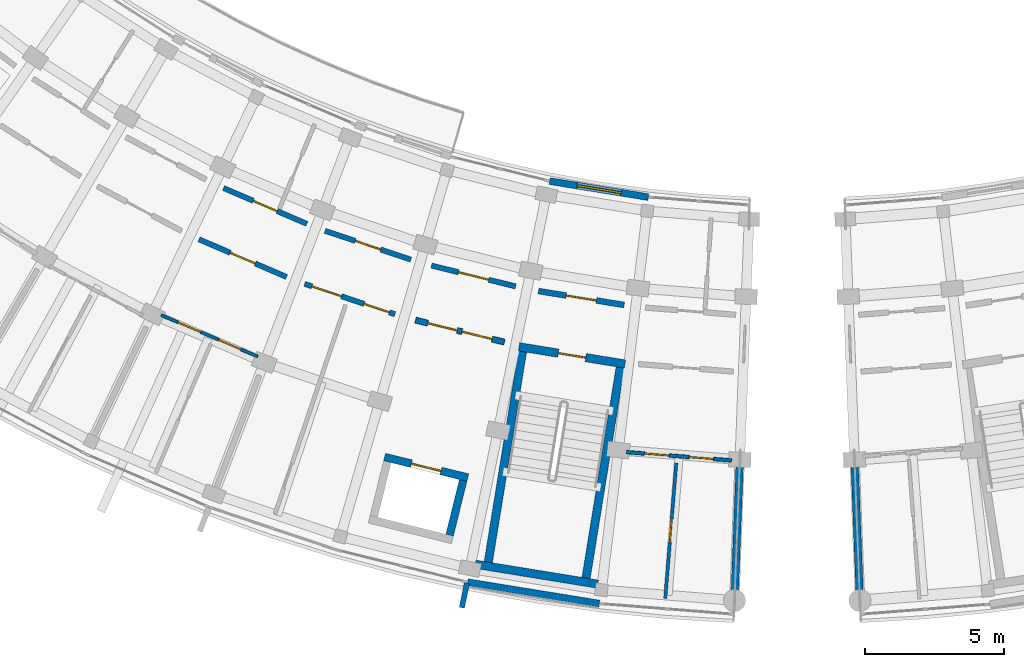
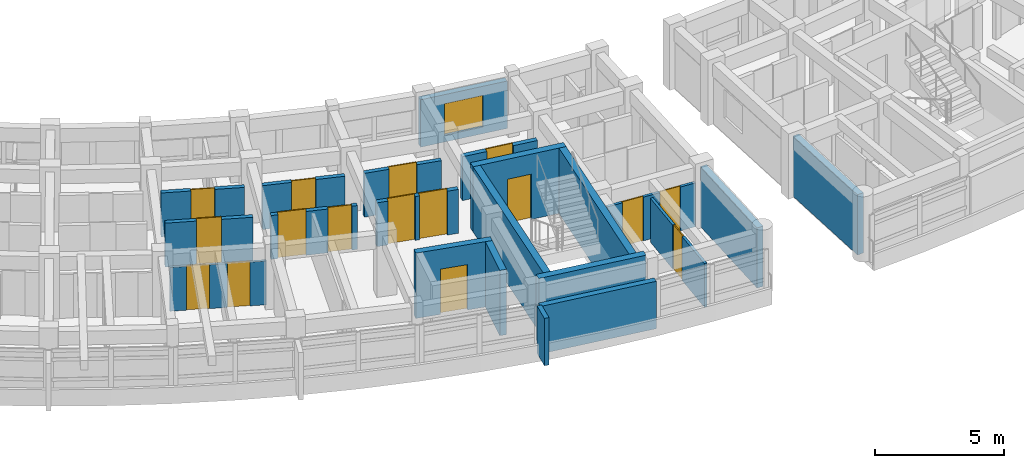
# One storey, part 34 of 56: 21 walls, 16 doors, 1 window, 17 openings.
"""IFC4 building model written with IfcOpenShell, lengths in metres."""

from ifc_helpers import new_model, si_unit, direction, frame, frame_2d, origin, place, context, subcontext, project, spatial, rectangle, extrude, material, layer, layer_set, type_object, element, fill, save


model = new_model("IFC4")

# Units and contexts
model_context = context("Model", 3, precision=1e-05, world=origin(), true_north=direction((0.0, 1.0)))
body_context = subcontext(model_context, "Body", "Model", "MODEL_VIEW")
ifc_project = project(units=[si_unit("LENGTHUNIT", "METRE"), si_unit("AREAUNIT", "SQUARE_METRE"), si_unit("VOLUMEUNIT", "CUBIC_METRE"), si_unit("PLANEANGLEUNIT", "RADIAN"), si_unit("MASSUNIT", "GRAM", prefix="KILO")], contexts=[model_context])

# Site, building, storey
site_placement = place(None, origin())
site = spatial("IfcSite", under=ifc_project, at=site_placement, CompositionType="ELEMENT")
building_placement = place(site_placement, origin())
building = spatial("IfcBuilding", under=site, at=building_placement, Name="Zimvara Arc Housing Community", CompositionType="ELEMENT")
storey_placement = place(building_placement, frame((0.0, 0.0, 17.39990234375)))
storey = spatial("IfcBuildingStorey", under=building, at=storey_placement, Name="L05", CompositionType="ELEMENT", Elevation=17.39990234375)

# Wall
ifc_material_1 = material(Name="Board-Marked Fair-Faced Concrete C35/45", Category="concrete")
ifc_layer_1 = layer(ifc_material_1, 0.195068359375)
ifc_layer_set_1 = layer_set([ifc_layer_1], Name="Board-Marked Fair-Faced Concrete C35/45")
wall_type_1 = type_object("IfcWallType", Name="EWL-PARA-195", PredefinedType="PARAPET", material=ifc_layer_set_1)
wall_1_placement = place(storey_placement, frame((114.072509765625, 51.645263671875, 0.0), z_axis=(0.0, 0.0, 1.0), x_axis=(-0.200236425943, -0.979747607155, 0.0)))
element("IfcWall", 1, at=wall_1_placement, inside=storey, type_object=wall_type_1, Name="finwall:blkC:L05:out:b8", PredefinedType="PARAPET", context=body_context, shape_type="SweptSolid", body=[
    extrude(rectangle(XDim=0.89990234375, YDim=0.195068359375, at=frame_2d((0.449951171875, 0.0))), origin(), (0.0, 0.0, 1.0), 2.25),
])

# Wall, opening, window
ifc_material_2 = material(Name="Pigmented Fair-Faced Concrete C35/45", Category="concrete")
ifc_layer_2 = layer(ifc_material_2, 0.2451171875)
ifc_layer_set_2 = layer_set([ifc_layer_2], Name="Pigmented Fair-Faced Concrete C35/45")
wall_type_2 = type_object("IfcWallType", Name="EWL-PIGM-245", PredefinedType="SOLIDWALL", material=ifc_layer_set_2)
wall_2_placement = place(storey_placement, frame((117.05810546875, 66.141845703125, 0.0), z_axis=(0.0, 0.0, 1.0), x_axis=(0.987080874485, -0.160222804952, 0.0)))
wall_2 = element("IfcWall", 2, at=wall_2_placement, inside=storey, type_object=wall_type_2, Name="ewall:blkC:L05:in:b8", PredefinedType="SOLIDWALL", context=body_context, shape_type="SweptSolid", body=[
    extrude(rectangle(XDim=3.603759765625, YDim=0.2451171875, at=frame_2d((1.8017578125, 0.0))), origin(), (0.0, 0.0, 1.0), 2.25),
])
opening_1_placement = place(wall_2_placement, frame((1.001708984375, 0.0, 0.320068359375)))
opening_1 = element("IfcOpeningElement", 3, at=opening_1_placement, cuts=wall_2, Name="Opening W03", PredefinedType="OPENING", context=body_context, shape_type="SweptSolid", body=[
    extrude(rectangle(XDim=1.60009765625, YDim=1.5, at=frame_2d((0.800048828125, 0.75))), frame((0.0, 0.132568359375, 0.0), z_axis=(0.0, -1.0, 0.0), x_axis=(1.0, 0.0, 0.0)), (0.0, 0.0, 1.0), 0.26513671875),
])
ifc_material_3 = material(Name="Solar Control Low-E Double Glazing", Category="glass")
window_type = type_object("IfcWindowType", Name="WIN-RES-1600x1500", PartitioningType="DOUBLE_PANEL_VERTICAL", PredefinedType="WINDOW", material=ifc_material_3)
window_placement = place(opening_1_placement, origin())
window = element("IfcWindow", 4, at=window_placement, inside=storey, type_object=window_type, Name="win:blkC:L05:in:b8", OverallHeight=1.5, OverallWidth=1.60009765625, PartitioningType="DOUBLE_PANEL_VERTICAL", PredefinedType="WINDOW", context=body_context, shape_type="SweptSolid", body=[
    extrude(rectangle(XDim=1.60009765625, YDim=1.5, at=frame_2d((0.800048828125, 0.75))), frame((0.0, 0.030029296875, 0.0), z_axis=(0.0, -1.0, 0.0), x_axis=(1.0, 0.0, 0.0)), (0.0, 0.0, 1.0), 0.06005859375),
])
fill(opening_1, window)

# Wall
ifc_material_4 = material(Name="Board-Marked Fair-Faced Concrete C35/45", Category="concrete")
ifc_layer_3 = layer(ifc_material_4, 0.251953125)
ifc_layer_set_3 = layer_set([ifc_layer_3], Name="Board-Marked Fair-Faced Concrete C35/45")
wall_type_3 = type_object("IfcWallType", Name="EWL-VAR-18", PredefinedType="SOLIDWALL", material=ifc_layer_set_3)
wall_3_placement = place(storey_placement, frame((114.100341796875, 51.681396484375, 0.0), z_axis=(0.0, 0.0, 1.0), x_axis=(0.987080750493, -0.160223568819, 0.0)))
element("IfcWall", 5, at=wall_3_placement, inside=storey, type_object=wall_type_3, Name="ewall:blkC:L05:out:b8", PredefinedType="SOLIDWALL", context=body_context, shape_type="SweptSolid", body=[
    extrude(rectangle(XDim=4.808837890625, YDim=0.251953125, at=frame_2d((2.404296875, 0.0))), origin(), (0.0, 0.0, 1.0), 2.25),
])

# Wall, openings, doors
ifc_material_5 = material(Name="Concrete C35/45", Category="concrete")
ifc_layer_4 = layer(ifc_material_5, 0.2099609375)
ifc_layer_set_4 = layer_set([ifc_layer_4], Name="Concrete C35/45")
wall_type_4 = type_object("IfcWallType", Name="IWL-CCF-210", PredefinedType="SOLIDWALL", material=ifc_layer_set_4)
wall_4_placement = place(storey_placement, frame((112.222900390625, 61.130126953125, 0.0), z_axis=(0.0, 0.0, 1.0), x_axis=(0.970719238682, -0.240216901263, 0.0)))
wall_4 = element("IfcWall", 6, at=wall_4_placement, inside=storey, type_object=wall_type_4, Name="iwall:blkC:L05:ll_div:b7", PredefinedType="SOLIDWALL", context=body_context, shape_type="SweptSolid", body=[
    extrude(rectangle(XDim=3.2958984375, YDim=0.2099609375, at=frame_2d((1.64794921875, 0.0))), origin(), (0.0, 0.0, 1.0), 2.080078125),
])
opening_2_placement = place(wall_4_placement, frame((0.449951171875, 0.0, 0.0)))
opening_2 = element("IfcOpeningElement", 7, at=opening_2_placement, cuts=wall_4, Name="Opening FD-CCF1", PredefinedType="OPENING", context=body_context, shape_type="SweptSolid", body=[
    extrude(rectangle(XDim=1.10009765625, YDim=2.14990234375, at=frame_2d((0.550048828125, 1.074951171875))), frame((0.0, 0.114990234375, 0.0), z_axis=(0.0, -1.0, 0.0), x_axis=(1.0, 0.0, 0.0)), (0.0, 0.0, 1.0), 0.22998046875),
])
opening_3_placement = place(wall_4_placement, frame((1.72607421875, 0.0, 0.0)))
opening_3 = element("IfcOpeningElement", 8, at=opening_3_placement, cuts=wall_4, Name="Opening D07", PredefinedType="OPENING", context=body_context, shape_type="SweptSolid", body=[
    extrude(rectangle(XDim=1.1201171875, YDim=2.14990234375, at=frame_2d((0.56005859375, 1.074951171875))), frame((0.0, 0.114990234375, 0.0), z_axis=(0.0, -1.0, 0.0), x_axis=(1.0, 0.0, 0.0)), (0.0, 0.0, 1.0), 0.22998046875),
])
ifc_material_6 = material(Name="Mozambican Hardwood", Category="wood")
door_type_1 = type_object("IfcDoorType", Name="IDR-AMN-1120x2150", OperationType="NOTDEFINED", PredefinedType="DOOR", material=ifc_material_6)
door_1_placement = place(opening_3_placement, origin())
door_1 = element("IfcDoor", 9, at=door_1_placement, inside=storey, type_object=door_type_1, Name="idoor:blkC:L05:rs_in:b7", OperationType="SINGLE_SWING_RIGHT", OverallHeight=2.14990234375, OverallWidth=1.1201171875, PredefinedType="DOOR", context=body_context, shape_type="SweptSolid", body=[
    extrude(rectangle(XDim=1.1201171875, YDim=2.14990234375, at=frame_2d((0.56005859375, 1.074951171875))), frame((0.0, 0.02490234375, 0.0), z_axis=(0.0, -1.0, 0.0), x_axis=(1.0, 0.0, 0.0)), (0.0, 0.0, 1.0), 0.050048828125),
])
fill(opening_3, door_1)
ifc_material_7 = material(Name="Anodised Aluminium AW-6063", Category="aluminium")
door_type_2 = type_object("IfcDoorType", Name="IDR-CCF-1100x2150", OperationType="NOTDEFINED", PredefinedType="DOOR", material=ifc_material_7)
door_2_placement = place(opening_2_placement, origin())
door_2 = element("IfcDoor", 10, at=door_2_placement, inside=storey, type_object=door_type_2, Name="idoor:blkC:L05:ll_in:b7", OperationType="SINGLE_SWING_LEFT", OverallHeight=2.14990234375, OverallWidth=1.10009765625, PredefinedType="DOOR", context=body_context, shape_type="SweptSolid", body=[
    extrude(rectangle(XDim=1.10009765625, YDim=2.14990234375, at=frame_2d((0.550048828125, 1.074951171875))), frame((0.0, 0.02490234375, 0.0), z_axis=(0.0, -1.0, 0.0), x_axis=(1.0, 0.0, 0.0)), (0.0, 0.0, 1.0), 0.050048828125),
])
fill(opening_2, door_2)

# Wall, opening, door
wall_5_placement = place(storey_placement, frame((116.655517578125, 62.178466796875, 0.0), z_axis=(0.0, 0.0, 1.0), x_axis=(0.987083140276, -0.16020884552, 0.0)))
wall_5 = element("IfcWall", 11, at=wall_5_placement, inside=storey, type_object=wall_type_4, Name="iwall:blkC:L05:ccf_div:b8", PredefinedType="SOLIDWALL", context=body_context, shape_type="SweptSolid", body=[
    extrude(rectangle(XDim=3.128662109375, YDim=0.2099609375, at=frame_2d((1.564453125, 0.0))), origin(), (0.0, 0.0, 1.0), 2.080078125),
])
opening_4_placement = place(wall_5_placement, frame((1.014404296875, 0.0, 0.0)))
opening_4 = element("IfcOpeningElement", 12, at=opening_4_placement, cuts=wall_5, Name="Opening FD-CCF1", PredefinedType="OPENING", context=body_context, shape_type="SweptSolid", body=[
    extrude(rectangle(XDim=1.10009765625, YDim=2.14990234375, at=frame_2d((0.550048828125, 1.074951171875))), frame((0.0, 0.114990234375, 0.0), z_axis=(0.0, -1.0, 0.0), x_axis=(1.0, 0.0, 0.0)), (0.0, 0.0, 1.0), 0.22998046875),
])
door_3_placement = place(opening_4_placement, origin())
door_3 = element("IfcDoor", 13, at=door_3_placement, inside=storey, type_object=door_type_2, Name="idoor:blkC:L05:ccf_in:b8", OperationType="SINGLE_SWING_RIGHT", OverallHeight=2.14990234375, OverallWidth=1.10009765625, PredefinedType="DOOR", context=body_context, shape_type="SweptSolid", body=[
    extrude(rectangle(XDim=1.10009765625, YDim=2.14990234375, at=frame_2d((0.550048828125, 1.074951171875))), frame((0.0, 0.02490234375, 0.0), z_axis=(0.0, -1.0, 0.0), x_axis=(1.0, 0.0, 0.0)), (0.0, 0.0, 1.0), 0.050048828125),
])
fill(opening_4, door_3)

ifc_material_8 = material(Name="Concrete C35/45", Category="concrete")
ifc_layer_5 = layer(ifc_material_8, 0.18994140625)
ifc_layer_set_5 = layer_set([ifc_layer_5], Name="Concrete C35/45")
wall_type_5 = type_object("IfcWallType", Name="IWL-CORR-190", PredefinedType="SOLIDWALL", material=ifc_layer_set_5)
wall_6_placement = place(storey_placement, frame((104.41650390625, 64.0439453125, 0.0), z_axis=(0.0, 0.0, 1.0), x_axis=(0.918718172399, -0.394913813008, 0.0)))
wall_6 = element("IfcWall", 14, at=wall_6_placement, inside=storey, type_object=wall_type_5, Name="iwall:blkC:L05:corr_out:b5", PredefinedType="SOLIDWALL", context=body_context, shape_type="SweptSolid", body=[
    extrude(rectangle(XDim=3.43603515625, YDim=0.18994140625, at=frame_2d((1.718017578125, 0.0))), origin(), (0.0, 0.0, 1.0), 2.080078125),
])
opening_5_placement = place(wall_6_placement, frame((1.22802734375, 0.0, 0.0)))
opening_5 = element("IfcOpeningElement", 15, at=opening_5_placement, cuts=wall_6, Name="Opening FD-FL1", PredefinedType="OPENING", context=body_context, shape_type="SweptSolid", body=[
    extrude(rectangle(XDim=0.97998046875, YDim=2.14990234375, at=frame_2d((0.489990234375, 1.074951171875))), frame((0.0, 0.10498046875, 0.0), z_axis=(0.0, -1.0, 0.0), x_axis=(1.0, 0.0, 0.0)), (0.0, 0.0, 1.0), 0.2099609375),
])
ifc_material_9 = material(Name="Mozambican Hardwood", Category="wood")
door_type_3 = type_object("IfcDoorType", Name="IDR-FLAT-0980x2150", OperationType="NOTDEFINED", PredefinedType="DOOR", material=ifc_material_9)
door_4_placement = place(opening_5_placement, origin())
door_4 = element("IfcDoor", 16, at=door_4_placement, inside=storey, type_object=door_type_3, Name="idoor:blkC:L05:flat:b5", OperationType="SINGLE_SWING_LEFT", OverallHeight=2.14990234375, OverallWidth=0.97998046875, PredefinedType="DOOR", context=body_context, shape_type="SweptSolid", body=[
    extrude(rectangle(XDim=0.97998046875, YDim=2.14990234375, at=frame_2d((0.489990234375, 1.074951171875))), frame((0.0, 0.02490234375, 0.0), z_axis=(0.0, -1.0, 0.0), x_axis=(1.0, 0.0, 0.0)), (0.0, 0.0, 1.0), 0.050048828125),
])
fill(opening_5, door_4)

wall_7_placement = place(storey_placement, frame((105.30224609375, 65.892822265625, 0.0), z_axis=(0.0, 0.0, 1.0), x_axis=(0.918723391052, -0.394901672235, 0.0)))
wall_7 = element("IfcWall", 17, at=wall_7_placement, inside=storey, type_object=wall_type_5, Name="iwall:blkC:L05:corr_in:b5", PredefinedType="SOLIDWALL", context=body_context, shape_type="SweptSolid", body=[
    extrude(rectangle(XDim=3.2685546875, YDim=0.18994140625, at=frame_2d((1.63427734375, 0.0))), origin(), (0.0, 0.0, 1.0), 2.080078125),
])
opening_6_placement = place(wall_7_placement, frame((1.164306640625, 0.0, 0.0)))
opening_6 = element("IfcOpeningElement", 18, at=opening_6_placement, cuts=wall_7, Name="Opening D03", PredefinedType="OPENING", context=body_context, shape_type="SweptSolid", body=[
    extrude(rectangle(XDim=0.93994140625, YDim=2.10009765625, at=frame_2d((0.469970703125, 1.050048828125))), frame((0.0, 0.10498046875, 0.0), z_axis=(0.0, -1.0, 0.0), x_axis=(1.0, 0.0, 0.0)), (0.0, 0.0, 1.0), 0.2099609375),
])
ifc_material_10 = material(Name="Mozambican Hardwood", Category="wood")
door_type_4 = type_object("IfcDoorType", Name="IDR-RM-0940x2100", OperationType="NOTDEFINED", PredefinedType="DOOR", material=ifc_material_10)
door_5_placement = place(opening_6_placement, origin())
door_5 = element("IfcDoor", 19, at=door_5_placement, inside=storey, type_object=door_type_4, Name="idoor:blkC:L05:in_rm:b5", OperationType="SINGLE_SWING_RIGHT", OverallHeight=2.10009765625, OverallWidth=0.93994140625, PredefinedType="DOOR", context=body_context, shape_type="SweptSolid", body=[
    extrude(rectangle(XDim=0.93994140625, YDim=2.10009765625, at=frame_2d((0.469970703125, 1.050048828125))), frame((0.0, 0.02490234375, 0.0), z_axis=(0.0, -1.0, 0.0), x_axis=(1.0, 0.0, 0.0)), (0.0, 0.0, 1.0), 0.050048828125),
])
fill(opening_6, door_5)

# Wall, openings, doors
wall_8_placement = place(storey_placement, frame((108.2265625, 62.437255859375, 0.0), z_axis=(0.0, 0.0, 1.0), x_axis=(0.947884468821, -0.318614239745, 0.0)))
wall_8 = element("IfcWall", 20, at=wall_8_placement, inside=storey, type_object=wall_type_5, Name="iwall:blkC:L05:corr_out:b6", PredefinedType="SOLIDWALL", context=body_context, shape_type="SweptSolid", body=[
    extrude(rectangle(XDim=3.435791015625, YDim=0.18994140625, at=frame_2d((1.7177734375, 0.0))), origin(), (0.0, 0.0, 1.0), 2.080078125),
])
opening_7_placement = place(wall_8_placement, frame((0.280029296875, 0.0, 0.0)))
opening_7 = element("IfcOpeningElement", 21, at=opening_7_placement, cuts=wall_8, Name="Opening D07", PredefinedType="OPENING", context=body_context, shape_type="SweptSolid", body=[
    extrude(rectangle(XDim=1.1201171875, YDim=2.14990234375, at=frame_2d((0.56005859375, 1.074951171875))), frame((0.0, 0.10498046875, 0.0), z_axis=(0.0, -1.0, 0.0), x_axis=(1.0, 0.0, 0.0)), (0.0, 0.0, 1.0), 0.2099609375),
])
opening_8_placement = place(wall_8_placement, frame((2.26611328125, 0.0, 0.0)))
opening_8 = element("IfcOpeningElement", 22, at=opening_8_placement, cuts=wall_8, Name="Opening D06", PredefinedType="OPENING", context=body_context, shape_type="SweptSolid", body=[
    extrude(rectangle(XDim=0.949951171875, YDim=2.10009765625, at=frame_2d((0.47509765625, 1.050048828125))), frame((0.0, 0.10498046875, 0.0), z_axis=(0.0, -1.0, 0.0), x_axis=(1.0, 0.0, 0.0)), (0.0, 0.0, 1.0), 0.2099609375),
])
door_6_placement = place(opening_7_placement, origin())
door_6 = element("IfcDoor", 23, at=door_6_placement, inside=storey, type_object=door_type_1, Name="idoor:blkC:L05:amen:b6", OperationType="SINGLE_SWING_LEFT", OverallHeight=2.14990234375, OverallWidth=1.1201171875, PredefinedType="DOOR", context=body_context, shape_type="SweptSolid", body=[
    extrude(rectangle(XDim=1.1201171875, YDim=2.14990234375, at=frame_2d((0.56005859375, 1.074951171875))), frame((0.0, 0.02490234375, 0.0), z_axis=(0.0, -1.0, 0.0), x_axis=(1.0, 0.0, 0.0)), (0.0, 0.0, 1.0), 0.050048828125),
])
fill(opening_7, door_6)
ifc_material_11 = material(Name="Mozambican Hardwood", Category="wood")
door_type_5 = type_object("IfcDoorType", Name="IDR-AWC-0950x2100", OperationType="NOTDEFINED", PredefinedType="DOOR", material=ifc_material_11)
door_7_placement = place(opening_8_placement, origin())
door_7 = element("IfcDoor", 24, at=door_7_placement, inside=storey, type_object=door_type_5, Name="idoor:blkC:L05:cawc:b6", OperationType="SINGLE_SWING_RIGHT", OverallHeight=2.10009765625, OverallWidth=0.949951171875, PredefinedType="DOOR", context=body_context, shape_type="SweptSolid", body=[
    extrude(rectangle(XDim=0.949951171875, YDim=2.10009765625, at=frame_2d((0.47509765625, 1.050048828125))), frame((0.0, 0.02490234375, 0.0), z_axis=(0.0, -1.0, 0.0), x_axis=(1.0, 0.0, 0.0)), (0.0, 0.0, 1.0), 0.050048828125),
])
fill(opening_8, door_7)

# Wall, opening, door
wall_9_placement = place(storey_placement, frame((108.95849609375, 64.352294921875, 0.0), z_axis=(0.0, 0.0, 1.0), x_axis=(0.94787351033, -0.318646839643, 0.0)))
wall_9 = element("IfcWall", 25, at=wall_9_placement, inside=storey, type_object=wall_type_5, Name="iwall:blkC:L05:corr_in:b6", PredefinedType="SOLIDWALL", context=body_context, shape_type="SweptSolid", body=[
    extrude(rectangle(XDim=3.2685546875, YDim=0.18994140625, at=frame_2d((1.63427734375, 0.0))), origin(), (0.0, 0.0, 1.0), 2.080078125),
])
opening_9_placement = place(wall_9_placement, frame((1.154296875, 0.0, 0.0)))
opening_9 = element("IfcOpeningElement", 26, at=opening_9_placement, cuts=wall_9, Name="Opening D04", PredefinedType="OPENING", context=body_context, shape_type="SweptSolid", body=[
    extrude(rectangle(XDim=0.9599609375, YDim=2.10009765625, at=frame_2d((0.47998046875, 1.050048828125))), frame((0.0, 0.10498046875, 0.0), z_axis=(0.0, -1.0, 0.0), x_axis=(1.0, 0.0, 0.0)), (0.0, 0.0, 1.0), 0.2099609375),
])
ifc_material_12 = material(Name="Mozambican Hardwood", Category="wood")
door_type_6 = type_object("IfcDoorType", Name="IDR-RM-0960x2100", OperationType="NOTDEFINED", PredefinedType="DOOR", material=ifc_material_12)
door_8_placement = place(opening_9_placement, origin())
door_8 = element("IfcDoor", 27, at=door_8_placement, inside=storey, type_object=door_type_6, Name="idoor:blkC:L05:in_rm:b6", OperationType="SINGLE_SWING_LEFT", OverallHeight=2.10009765625, OverallWidth=0.9599609375, PredefinedType="DOOR", context=body_context, shape_type="SweptSolid", body=[
    extrude(rectangle(XDim=0.9599609375, YDim=2.10009765625, at=frame_2d((0.47998046875, 1.050048828125))), frame((0.0, 0.02490234375, 0.0), z_axis=(0.0, -1.0, 0.0), x_axis=(1.0, 0.0, 0.0)), (0.0, 0.0, 1.0), 0.050048828125),
])
fill(opening_9, door_8)

wall_10_placement = place(storey_placement, frame((112.796142578125, 63.098388671875, 0.0), z_axis=(0.0, 0.0, 1.0), x_axis=(0.970708998014, -0.240258280136, 0.0)))
wall_10 = element("IfcWall", 28, at=wall_10_placement, inside=storey, type_object=wall_type_5, Name="iwall:blkC:L05:ra_div:b7", PredefinedType="SOLIDWALL", context=body_context, shape_type="SweptSolid", body=[
    extrude(rectangle(XDim=3.128662109375, YDim=0.18994140625, at=frame_2d((1.564453125, 0.0))), origin(), (0.0, 0.0, 1.0), 2.080078125),
])
opening_10_placement = place(wall_10_placement, frame((1.00439453125, 0.0, 0.0)))
opening_10 = element("IfcOpeningElement", 29, at=opening_10_placement, cuts=wall_10, Name="Opening D07", PredefinedType="OPENING", context=body_context, shape_type="SweptSolid", body=[
    extrude(rectangle(XDim=1.1201171875, YDim=2.14990234375, at=frame_2d((0.56005859375, 1.074951171875))), frame((0.0, 0.10498046875, 0.0), z_axis=(0.0, -1.0, 0.0), x_axis=(1.0, 0.0, 0.0)), (0.0, 0.0, 1.0), 0.2099609375),
])
door_9_placement = place(opening_10_placement, origin())
door_9 = element("IfcDoor", 30, at=door_9_placement, inside=storey, type_object=door_type_1, Name="idoor:blkC:L05:ra_d:b7", OperationType="SINGLE_SWING_LEFT", OverallHeight=2.14990234375, OverallWidth=1.1201171875, PredefinedType="DOOR", context=body_context, shape_type="SweptSolid", body=[
    extrude(rectangle(XDim=1.1201171875, YDim=2.14990234375, at=frame_2d((0.56005859375, 1.074951171875))), frame((0.0, 0.02490234375, 0.0), z_axis=(0.0, -1.0, 0.0), x_axis=(1.0, 0.0, 0.0)), (0.0, 0.0, 1.0), 0.050048828125),
])
fill(opening_10, door_9)

# Wall, openings, doors
ifc_material_13 = material(Name="Painted Acoustic Plasterboard")
ifc_layer_6 = layer(ifc_material_13, 0.10498046875)
ifc_layer_set_6 = layer_set([ifc_layer_6], Name="Painted Acoustic Plasterboard")
wall_type_6 = type_object("IfcWallType", Name="IWL-PART-105", PredefinedType="PARTITIONING", material=ifc_layer_set_6)
wall_11_placement = place(storey_placement, frame((103.052490234375, 61.313232421875, 0.0), z_axis=(0.0, 0.0, 1.0), x_axis=(0.918714121981, -0.39492323567, 0.0)))
wall_11 = element("IfcWall", 31, at=wall_11_placement, inside=storey, type_object=wall_type_6, Name="iwall:blkC:L05:srv:b5", PredefinedType="PARTITIONING", context=body_context, shape_type="SweptSolid", body=[
    extrude(rectangle(XDim=3.78515625, YDim=0.10498046875, at=frame_2d((1.892578125, 0.0))), origin(), (0.0, 0.0, 1.0), 2.080078125),
])
opening_11_placement = place(wall_11_placement, frame((0.64990234375, 0.0, 0.0)))
opening_11 = element("IfcOpeningElement", 32, at=opening_11_placement, cuts=wall_11, Name="Opening D01", PredefinedType="OPENING", context=body_context, shape_type="SweptSolid", body=[
    extrude(rectangle(XDim=0.89990234375, YDim=2.10009765625, at=frame_2d((0.449951171875, 1.050048828125))), frame((0.0, 0.0625, 0.0), z_axis=(0.0, -1.0, 0.0), x_axis=(1.0, 0.0, 0.0)), (0.0, 0.0, 1.0), 0.125),
])
opening_12_placement = place(wall_11_placement, frame((2.255126953125, 0.0, 0.0)))
opening_12 = element("IfcOpeningElement", 33, at=opening_12_placement, cuts=wall_11, Name="Opening D05", PredefinedType="OPENING", context=body_context, shape_type="SweptSolid", body=[
    extrude(rectangle(XDim=0.8798828125, YDim=2.10009765625, at=frame_2d((0.43994140625, 1.050048828125))), frame((0.0, 0.0625, 0.0), z_axis=(0.0, -1.0, 0.0), x_axis=(1.0, 0.0, 0.0)), (0.0, 0.0, 1.0), 0.125),
])
ifc_material_14 = material(Name="Mozambican Hardwood", Category="wood")
door_type_7 = type_object("IfcDoorType", Name="IDR-RM-0900x2100", OperationType="NOTDEFINED", PredefinedType="DOOR", material=ifc_material_14)
door_10_placement = place(opening_11_placement, origin())
door_10 = element("IfcDoor", 34, at=door_10_placement, inside=storey, type_object=door_type_7, Name="idoor:blkC:L05:kit_liv:b5", OperationType="SINGLE_SWING_RIGHT", OverallHeight=2.10009765625, OverallWidth=0.89990234375, PredefinedType="DOOR", context=body_context, shape_type="SweptSolid", body=[
    extrude(rectangle(XDim=0.89990234375, YDim=2.10009765625, at=frame_2d((0.449951171875, 1.050048828125))), frame((0.0, 0.02490234375, 0.0), z_axis=(0.0, -1.0, 0.0), x_axis=(1.0, 0.0, 0.0)), (0.0, 0.0, 1.0), 0.050048828125),
])
fill(opening_11, door_10)
ifc_material_15 = material(Name="Mozambican Hardwood", Category="wood")
door_type_8 = type_object("IfcDoorType", Name="IDR-WC-0880x2100", OperationType="NOTDEFINED", PredefinedType="DOOR", material=ifc_material_15)
door_11_placement = place(opening_12_placement, origin())
door_11 = element("IfcDoor", 35, at=door_11_placement, inside=storey, type_object=door_type_8, Name="idoor:blkC:L05:bath_d:b5", OperationType="SINGLE_SWING_LEFT", OverallHeight=2.10009765625, OverallWidth=0.8798828125, PredefinedType="DOOR", context=body_context, shape_type="SweptSolid", body=[
    extrude(rectangle(XDim=0.8798828125, YDim=2.10009765625, at=frame_2d((0.43994140625, 1.050048828125))), frame((0.0, 0.02490234375, 0.0), z_axis=(0.0, -1.0, 0.0), x_axis=(1.0, 0.0, 0.0)), (0.0, 0.0, 1.0), 0.050048828125),
])
fill(opening_12, door_11)

# Wall, opening, door
ifc_material_16 = material(Name="Painted Acoustic Plasterboard")
ifc_layer_7 = layer(ifc_material_16, 0.1201171875)
ifc_layer_set_7 = layer_set([ifc_layer_7], Name="Painted Acoustic Plasterboard")
wall_type_7 = type_object("IfcWallType", Name="IWL-PART-120", PredefinedType="PARTITIONING", material=ifc_layer_set_7)
wall_12_placement = place(storey_placement, frame((121.620361328125, 55.986083984375, 0.0), z_axis=(0.0, 0.0, 1.0), x_axis=(-0.080666032472, -0.996741185667, 0.0)))
wall_12 = element("IfcWall", 36, at=wall_12_placement, inside=storey, type_object=wall_type_7, Name="iwall:blkC:L05:bed_div:b9", PredefinedType="PARTITIONING", context=body_context, shape_type="SweptSolid", body=[
    extrude(rectangle(XDim=4.89990234375, YDim=0.1201171875, at=frame_2d((2.449951171875, 0.0))), origin(), (0.0, 0.0, 1.0), 2.080078125),
])
opening_13_placement = place(wall_12_placement, frame((2.02490234375, 0.0, 0.0)))
opening_13 = element("IfcOpeningElement", 37, at=opening_13_placement, cuts=wall_12, Name="Opening D11", PredefinedType="OPENING", context=body_context, shape_type="SweptSolid", body=[
    extrude(rectangle(XDim=0.85009765625, YDim=2.10009765625, at=frame_2d((0.425048828125, 1.050048828125))), frame((0.0, 0.070068359375, 0.0), z_axis=(0.0, -1.0, 0.0), x_axis=(1.0, 0.0, 0.0)), (0.0, 0.0, 1.0), 0.14013671875),
])
ifc_material_17 = material(Name="Mozambican Hardwood", Category="wood")
door_type_9 = type_object("IfcDoorType", Name="IDR-MOD-850x2060", OperationType="NOTDEFINED", PredefinedType="DOOR", material=ifc_material_17)
door_12_placement = place(opening_13_placement, origin())
door_12 = element("IfcDoor", 38, at=door_12_placement, inside=storey, type_object=door_type_9, Name="idoor:blkC:L05:bed_d:b9", OperationType="SINGLE_SWING_RIGHT", OverallHeight=2.10009765625, OverallWidth=0.85009765625, PredefinedType="DOOR", context=body_context, shape_type="SweptSolid", body=[
    extrude(rectangle(XDim=0.85009765625, YDim=2.10009765625, at=frame_2d((0.425048828125, 1.050048828125))), frame((0.0, 0.02490234375, 0.0), z_axis=(0.0, -1.0, 0.0), x_axis=(1.0, 0.0, 0.0)), (0.0, 0.0, 1.0), 0.050048828125),
])
fill(opening_13, door_12)

# Wall, openings, doors
ifc_material_18 = material(Name="Painted Acoustic Plasterboard")
ifc_layer_8 = layer(ifc_material_18, 0.125)
ifc_layer_set_8 = layer_set([ifc_layer_8], Name="Painted Acoustic Plasterboard")
wall_type_8 = type_object("IfcWallType", Name="IWL-PART-125", PredefinedType="PARTITIONING", material=ifc_layer_set_8)
wall_13_placement = place(storey_placement, frame((119.828369140625, 56.3740234375, 0.0), z_axis=(0.0, 0.0, 1.0), x_axis=(0.996863138536, -0.079144696778, 0.0)))
wall_13 = element("IfcWall", 39, at=wall_13_placement, inside=storey, type_object=wall_type_8, Name="iwall:blkC:L05:srv:b9", PredefinedType="PARTITIONING", context=body_context, shape_type="SweptSolid", body=[
    extrude(rectangle(XDim=3.79736328125, YDim=0.125, at=frame_2d((1.898681640625, 0.0))), origin(), (0.0, 0.0, 1.0), 2.080078125),
])
opening_14_placement = place(wall_13_placement, frame((0.64990234375, 0.0, 0.0)))
opening_14 = element("IfcOpeningElement", 40, at=opening_14_placement, cuts=wall_13, Name="Opening D01", PredefinedType="OPENING", context=body_context, shape_type="SweptSolid", body=[
    extrude(rectangle(XDim=0.89990234375, YDim=2.10009765625, at=frame_2d((0.449951171875, 1.050048828125))), frame((0.0, 0.072509765625, 0.0), z_axis=(0.0, -1.0, 0.0), x_axis=(1.0, 0.0, 0.0)), (0.0, 0.0, 1.0), 0.14501953125),
])
opening_15_placement = place(wall_13_placement, frame((2.267333984375, 0.0, 0.0)))
opening_15 = element("IfcOpeningElement", 41, at=opening_15_placement, cuts=wall_13, Name="Opening D05", PredefinedType="OPENING", context=body_context, shape_type="SweptSolid", body=[
    extrude(rectangle(XDim=0.8798828125, YDim=2.10009765625, at=frame_2d((0.43994140625, 1.050048828125))), frame((0.0, 0.072509765625, 0.0), z_axis=(0.0, -1.0, 0.0), x_axis=(1.0, 0.0, 0.0)), (0.0, 0.0, 1.0), 0.14501953125),
])
door_13_placement = place(opening_14_placement, origin())
door_13 = element("IfcDoor", 42, at=door_13_placement, inside=storey, type_object=door_type_7, Name="idoor:blkC:L05:kit_liv:b9", OperationType="SINGLE_SWING_RIGHT", OverallHeight=2.10009765625, OverallWidth=0.89990234375, PredefinedType="DOOR", context=body_context, shape_type="SweptSolid", body=[
    extrude(rectangle(XDim=0.89990234375, YDim=2.10009765625, at=frame_2d((0.449951171875, 1.050048828125))), frame((0.0, 0.02490234375, 0.0), z_axis=(0.0, -1.0, 0.0), x_axis=(1.0, 0.0, 0.0)), (0.0, 0.0, 1.0), 0.050048828125),
])
fill(opening_14, door_13)
door_14_placement = place(opening_15_placement, origin())
door_14 = element("IfcDoor", 43, at=door_14_placement, inside=storey, type_object=door_type_8, Name="idoor:blkC:L05:bath_d:b9", OperationType="SINGLE_SWING_LEFT", OverallHeight=2.10009765625, OverallWidth=0.8798828125, PredefinedType="DOOR", context=body_context, shape_type="SweptSolid", body=[
    extrude(rectangle(XDim=0.8798828125, YDim=2.10009765625, at=frame_2d((0.43994140625, 1.050048828125))), frame((0.0, 0.02490234375, 0.0), z_axis=(0.0, -1.0, 0.0), x_axis=(1.0, 0.0, 0.0)), (0.0, 0.0, 1.0), 0.050048828125),
])
fill(opening_15, door_14)

# Wall, opening, door
ifc_material_19 = material(Name="Concrete C40/50", Category="concrete")
ifc_layer_9 = layer(ifc_material_19, 0.280029296875)
ifc_layer_set_9 = layer_set([ifc_layer_9], Name="Concrete C40/50")
wall_type_9 = type_object("IfcWallType", Name="WL-CORE-280", PredefinedType="SHEAR", material=ifc_layer_set_9)
wall_14_placement = place(storey_placement, frame((111.10791015625, 56.1962890625, 0.0), z_axis=(0.0, 0.0, 1.0), x_axis=(0.970706856107, -0.240266933861, 0.0)))
wall_14 = element("IfcWall", 44, at=wall_14_placement, inside=storey, type_object=wall_type_9, Name="lwall:LP-C2:L05:front", PredefinedType="SHEAR", context=body_context, shape_type="SweptSolid", body=[
    extrude(rectangle(XDim=3.090087890625, YDim=0.280029296875, at=frame_2d((1.544921875, 0.0))), origin(), (0.0, 0.0, 1.0), 3.10009765625),
])
opening_16_placement = place(wall_14_placement, frame((0.9951171875, 0.0, 0.0)))
opening_16 = element("IfcOpeningElement", 45, at=opening_16_placement, cuts=wall_14, Name="Opening LD-LP-C2", PredefinedType="OPENING", context=body_context, shape_type="SweptSolid", body=[
    extrude(rectangle(XDim=1.10009765625, YDim=2.14990234375, at=frame_2d((0.550048828125, 1.074951171875))), frame((0.0, 0.14990234375, 0.0), z_axis=(0.0, -1.0, 0.0), x_axis=(1.0, 0.0, 0.0)), (0.0, 0.0, 1.0), 0.300048828125),
])
ifc_material_20 = material(Name="Anodised Aluminium AW-6063", Category="aluminium")
door_type_10 = type_object("IfcDoorType", Name="IDR-LD-1100x2150", OperationType="DOUBLE_DOOR_SLIDING", PredefinedType="DOOR", material=ifc_material_20)
door_15_placement = place(opening_16_placement, origin())
door_15 = element("IfcDoor", 46, at=door_15_placement, inside=storey, type_object=door_type_10, Name="Lift LP-C2 Sliding Landing Door L05", OperationType="DOUBLE_DOOR_SLIDING", OverallHeight=2.14990234375, OverallWidth=1.10009765625, PredefinedType="DOOR", context=body_context, shape_type="SweptSolid", body=[
    extrude(rectangle(XDim=1.10009765625, YDim=2.14990234375, at=frame_2d((0.550048828125, 1.074951171875))), frame((0.0, 0.02490234375, 0.0), z_axis=(0.0, -1.0, 0.0), x_axis=(1.0, 0.0, 0.0)), (0.0, 0.0, 1.0), 0.050048828125),
])
fill(opening_16, door_15)

# Wall
wall_15_placement = place(storey_placement, frame((113.93798828125, 55.3515625, 0.0), z_axis=(0.0, 0.0, 1.0), x_axis=(-0.2402993748, -0.970698825832, 0.0)))
element("IfcWall", 47, at=wall_15_placement, inside=storey, type_object=wall_type_9, Name="lwall:LP-C2:L05:right", PredefinedType="SHEAR", context=body_context, shape_type="SweptSolid", body=[
    extrude(rectangle(XDim=2.030029296875, YDim=0.280029296875, at=frame_2d((1.01513671875, 0.0))), origin(), (0.0, 0.0, 1.0), 3.10009765625),
])

# Wall, opening, door
ifc_material_21 = material(Name="Concrete C40/50", Category="concrete")
ifc_layer_10 = layer(ifc_material_21, 0.300048828125)
ifc_layer_set_10 = layer_set([ifc_layer_10], Name="Concrete C40/50")
wall_type_10 = type_object("IfcWallType", Name="WL-CORE-300", PredefinedType="SHEAR", material=ifc_layer_set_10)
wall_16_placement = place(storey_placement, frame((115.953857421875, 60.16943359375, 0.0), z_axis=(0.0, 0.0, 1.0), x_axis=(0.987077443397, -0.160243941341, 0.0)))
wall_16 = element("IfcWall", 48, at=wall_16_placement, inside=storey, type_object=wall_type_10, Name="cwall:ST-C2:L05:near", PredefinedType="SHEAR", context=body_context, shape_type="SweptSolid", body=[
    extrude(rectangle(XDim=3.869873046875, YDim=0.300048828125, at=frame_2d((1.93505859375, 0.0))), origin(), (0.0, 0.0, 1.0), 3.10009765625),
])
opening_17_placement = place(wall_16_placement, frame((1.43505859375, 0.0, 0.0)))
opening_17 = element("IfcOpeningElement", 49, at=opening_17_placement, cuts=wall_16, Name="Opening FD-ST1", PredefinedType="OPENING", context=body_context, shape_type="SweptSolid", body=[
    extrude(rectangle(XDim=1.0, YDim=2.14990234375, at=frame_2d((0.5, 1.074951171875))), frame((0.0, 0.159912109375, 0.0), z_axis=(0.0, -1.0, 0.0), x_axis=(1.0, 0.0, 0.0)), (0.0, 0.0, 1.0), 0.320068359375),
])
ifc_material_22 = material(Name="Anodised Aluminium AW-6063", Category="aluminium")
door_type_11 = type_object("IfcDoorType", Name="IDR-ST-1000x2150", OperationType="NOTDEFINED", PredefinedType="DOOR", material=ifc_material_22)
door_16_placement = place(opening_17_placement, origin())
door_16 = element("IfcDoor", 50, at=door_16_placement, inside=storey, type_object=door_type_11, Name="idoor:ST-C2:L05:entry", OperationType="SINGLE_SWING_LEFT", OverallHeight=2.14990234375, OverallWidth=1.0, PredefinedType="DOOR", context=body_context, shape_type="SweptSolid", body=[
    extrude(rectangle(XDim=1.0, YDim=2.14990234375, at=frame_2d((0.5, 1.074951171875))), frame((0.0, 0.02490234375, 0.0), z_axis=(0.0, -1.0, 0.0), x_axis=(1.0, 0.0, 0.0)), (0.0, 0.0, 1.0), 0.050048828125),
])
fill(opening_17, door_16)

# Walls
wall_17_placement = place(storey_placement, frame((114.37744140625, 52.330810546875, 0.0), z_axis=(0.0, 0.0, 1.0), x_axis=(0.987077474317, -0.16024375088, 0.0)))
element("IfcWall", 51, at=wall_17_placement, inside=storey, type_object=wall_type_10, Name="cwall:ST-C2:L05:far", PredefinedType="SHEAR", context=body_context, shape_type="SweptSolid", body=[
    extrude(rectangle(XDim=4.47021484375, YDim=0.300048828125, at=frame_2d((2.235107421875, 0.0))), origin(), (0.0, 0.0, 1.0), 3.10009765625),
])
for number, where, z_axis, x_axis, name in (
    (52, (116.077880859375, 59.997314453125, 0.0), (0.0, 0.0, 1.0), (-0.160232517967, -0.987079297821, 0.0), "cwall:ST-C2:L05:left"),
    (53, (119.6015625, 59.42529296875, 0.0), (0.0, 0.0, 1.0), (-0.160201584773, -0.987084318706, 0.0), "cwall:ST-C2:L05:right"),
):
    element("IfcWall", number, at=place(storey_placement, frame(where, z_axis=z_axis, x_axis=x_axis)), inside=storey, type_object=wall_type_10, Name=name, PredefinedType="SHEAR", context=body_context, shape_type="SweptSolid", body=[
        extrude(rectangle(XDim=7.68994140625, YDim=0.300048828125, at=frame_2d((3.844970703125, 0.0))), origin(), (0.0, 0.0, 1.0), 3.10009765625),
    ])
ifc_material_23 = material(Name="Concrete C40/50", Category="concrete")
ifc_layer_11 = layer(ifc_material_23, 0.27001953125)
ifc_layer_set_11 = layer_set([ifc_layer_11], Name="Concrete C40/50")
wall_type_11 = type_object("IfcWallType", Name="WL-SHEAR-270", PredefinedType="SHEAR", material=ifc_layer_set_11)
for number, where, z_axis, x_axis, name in (
    (54, (123.90771484375, 55.919677734375, 0.0), (0.0, 0.0, 1.0), (-0.038381471406, -0.99926315986, 0.0), "swall:blkC:L05:east"),
    (55, (128.05224609375, 55.919677734375, 0.0), (0.0, 0.0, 1.0), (0.038381471406, -0.99926315986, 0.0), "swall:blkD:L05:west"),
):
    element("IfcWall", number, at=place(storey_placement, frame(where, z_axis=z_axis, x_axis=x_axis)), inside=storey, type_object=wall_type_11, Name=name, PredefinedType="SHEAR", context=body_context, shape_type="SweptSolid", body=[
        extrude(rectangle(XDim=4.7197265625, YDim=0.27001953125, at=frame_2d((2.35986328125, 0.0))), origin(), (0.0, 0.0, 1.0), 2.860107421875),
    ])

save(model, "model.ifc")
